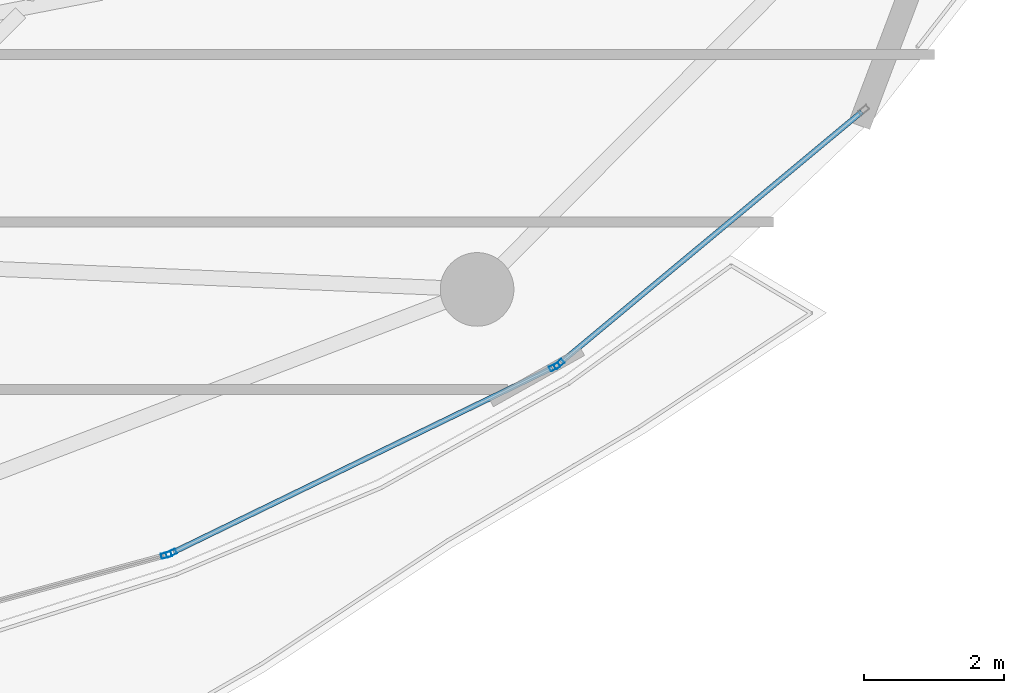
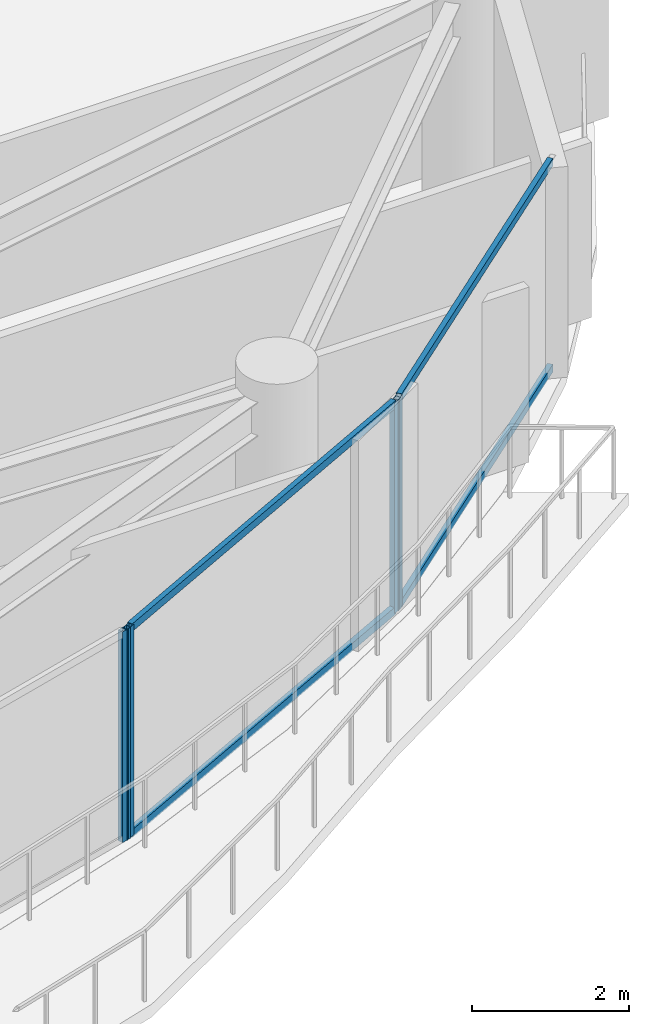
# One storey, part 12 of 29: 8 members, 3 elements without a shape of their own.
"""IFC4 building model written with IfcOpenShell, lengths in metres."""

import ifcopenshell
import ifcopenshell.guid

model = None  # the IFC model being written
_history = None  # IfcOwnerHistory: only IFC2X3 demands one
_inside = {}  # id of a spatial element -> (the spatial element, [elements in it])
_under = {}  # id of a project, library or spatial element -> (it, [spatial elements below it])
_declared = {}  # id of a project -> (the project, [libraries it declares])
_typed = {}  # id of a type object -> (the type object, [elements of that type])
_made_of = {}  # id of a material, layer set ... -> (it, [elements and type objects made of it])


def new_model(schema):
    """Start an empty IFC model of exactly this schema.

    Asked for "IFC4X3", IfcOpenShell would pick the latest addendum, in which some entities
    have other attributes; the version numbers below select the first issue.
    IFC2X3 requires an IfcOwnerHistory on every rooted entity: one is made here for all.
    """
    global model, _history
    if schema == "IFC4X3":
        model = ifcopenshell.file(schema_version=(4, 3, 0, 0))
    else:
        model = ifcopenshell.file(schema=schema)
    _inside.clear()
    _under.clear()
    _declared.clear()
    _typed.clear()
    _made_of.clear()
    _history = None
    if model.schema == "IFC2X3":
        org = make("IfcOrganization", Name="unknown")
        user = make(
            "IfcPersonAndOrganization",
            ThePerson=make("IfcPerson", FamilyName="unknown"),
            TheOrganization=org,
        )
        app = make(
            "IfcApplication",
            ApplicationDeveloper=org,
            Version="unknown",
            ApplicationFullName="unknown",
            ApplicationIdentifier="unknown",
        )
        _history = make(
            "IfcOwnerHistory",
            OwningUser=user,
            OwningApplication=app,
            ChangeAction="ADDED",
            CreationDate=0,
        )
    return model


def make(cls, **values):
    """One entity of the class cls with the attributes given. An attribute that is None is left unset."""
    return model.create_entity(
        cls, **{name: value for name, value in values.items() if value is not None}
    )


def rooted(cls, **values):
    """An entity with a GlobalId (a new one), such as an element, a storey or a relation."""
    return make(cls, GlobalId=ifcopenshell.guid.new(), OwnerHistory=_history, **values)


def si_unit(unit_type, name, prefix=None):
    """IfcSIUnit, for example si_unit("LENGTHUNIT", "METRE", prefix="MILLI")."""
    return make("IfcSIUnit", UnitType=unit_type, Prefix=prefix, Name=name)


def assignment(units):
    """IfcUnitAssignment: the units of a project."""
    return None if units is None else make("IfcUnitAssignment", Units=units)


def point(xyz):
    """IfcCartesianPoint."""
    return None if xyz is None else make("IfcCartesianPoint", Coordinates=xyz)


def direction(xyz):
    """IfcDirection."""
    return None if xyz is None else make("IfcDirection", DirectionRatios=xyz)


def frame(location, z_axis=None, x_axis=None):
    """IfcAxis2Placement3D, a coordinate frame: its origin and axes. An axis left out is left unset."""
    return make(
        "IfcAxis2Placement3D",
        Location=point(location),
        Axis=direction(z_axis),
        RefDirection=direction(x_axis),
    )


def frame_2d(location, x_axis=None):
    """IfcAxis2Placement2D, a coordinate frame in the plane: its origin and x axis."""
    return make(
        "IfcAxis2Placement2D", Location=point(location), RefDirection=direction(x_axis)
    )


def origin():
    """The frame at (0, 0, 0) with its axes left unset."""
    return frame((0.0, 0.0, 0.0))


def origin_2d():
    """The frame at (0, 0) in the plane with its x axis left unset."""
    return frame_2d((0.0, 0.0))


def place(relative_to, where):
    """IfcLocalPlacement: puts the frame where relative to a parent placement (None: the world)."""
    return make(
        "IfcLocalPlacement", PlacementRelTo=relative_to, RelativePlacement=where
    )


def context(
    kind, dimensions, precision=None, world=None, true_north=None, identifier=None
):
    """IfcGeometricRepresentationContext, for example the 3D "Model" context."""
    return make(
        "IfcGeometricRepresentationContext",
        ContextIdentifier=identifier,
        ContextType=kind,
        CoordinateSpaceDimension=dimensions,
        Precision=precision,
        WorldCoordinateSystem=world,
        TrueNorth=true_north,
    )


def subcontext(parent, identifier, kind, view, scale=None):
    """IfcGeometricRepresentationSubContext, for example "Body" below "Model"."""
    return make(
        "IfcGeometricRepresentationSubContext",
        ContextIdentifier=identifier,
        ContextType=kind,
        ParentContext=parent,
        TargetScale=scale,
        TargetView=view,
    )


def project(units=None, contexts=None):
    """IfcProject with its units and contexts."""
    return rooted(
        "IfcProject",
        Name="project",
        RepresentationContexts=contexts,
        UnitsInContext=assignment(units),
    )


def spatial(cls, under=None, at=None, **own):
    """A site, building, storey or space (cls), placed at a placement, below another one or the project."""
    s = rooted(cls, ObjectPlacement=at, **own)
    if under is not None:
        _under.setdefault(under.id(), (under, []))[1].append(s)
    return s


def profile(cls, at=None, kind="AREA", **sizes):
    """A parametric profile (cls). Its sizes go by their IFC names, for example OverallWidth=200.0."""
    return make(cls, ProfileType=kind, Position=at, **sizes)


def hollow_rectangle(**sizes):
    """IfcRectangleHollowProfileDef."""
    return profile("IfcRectangleHollowProfileDef", **sizes)


def extrude(swept, where, along, depth):
    """IfcExtrudedAreaSolid: the profile swept, set in the frame where, extruded along a direction by depth."""
    return make(
        "IfcExtrudedAreaSolid",
        SweptArea=swept,
        Position=where,
        ExtrudedDirection=direction(along),
        Depth=depth,
    )


def shape(context_of_items, identifier, shape_type, items):
    """IfcShapeRepresentation: the items that make up one representation, for example the "Body"."""
    return make(
        "IfcShapeRepresentation",
        ContextOfItems=context_of_items,
        RepresentationIdentifier=identifier,
        RepresentationType=shape_type,
        Items=items,
    )


def material(Name=None, Category=None):
    """IfcMaterial."""
    return make("IfcMaterial", Name=Name, Category=Category)


def layer(
    of_material, thickness, ventilated=None, Name=None, Category=None, Priority=None
):
    """IfcMaterialLayer: one layer of a wall or slab, of a material (None: an air gap)."""
    return make(
        "IfcMaterialLayer",
        Material=of_material,
        LayerThickness=thickness,
        IsVentilated=ventilated,
        Name=Name,
        Category=Category,
        Priority=Priority,
    )


def layer_set(layers, Name=None):
    """IfcMaterialLayerSet."""
    return make("IfcMaterialLayerSet", MaterialLayers=layers, LayerSetName=Name)


def material_profile(
    of_material, cross_section, Name=None, Category=None, Priority=None
):
    """IfcMaterialProfile: a cross section and its material."""
    return make(
        "IfcMaterialProfile",
        Name=Name,
        Material=of_material,
        Profile=cross_section,
        Priority=Priority,
        Category=Category,
    )


def profile_set(profiles, Name=None, composite=None):
    """IfcMaterialProfileSet."""
    return make(
        "IfcMaterialProfileSet",
        Name=Name,
        MaterialProfiles=profiles,
        CompositeProfile=composite,
    )


def made_of(thing, what):
    """Note that an element or type object is made of a material, layer set ...; save() writes the relation."""
    if what is not None:
        _made_of.setdefault(what.id(), (what, []))[1].append(thing)
    return thing


def type_object(cls, material=None, **own):
    """A type object (cls), such as IfcWallType, which elements share."""
    return made_of(rooted(cls, **own), material)


def element(
    cls,
    number,
    at=None,
    inside=None,
    cuts=None,
    type_object=None,
    material=None,
    context=None,
    identifier="Body",
    shape_type=None,
    held_by="IfcProductDefinitionShape",
    body=None,
    shapes=None,
    **own,
):
    """One element of the class cls, such as IfcWall. Its Tag is "e" and its number.

    at: its placement. inside: the storey or other place that contains it. cuts: it is an
    opening in that element (IfcRelVoidsElement). A single representation is given by context,
    identifier, shape_type and body (its items); several are given by shapes. held_by: the class
    of the entity that holds the representations. save() writes the other relations.
    """
    e = rooted(cls, Tag="e%d" % number, ObjectPlacement=at, **own)
    if body is not None:
        shapes = [shape(context, identifier, shape_type, body)]
    if shapes is not None:
        e.Representation = make(held_by, Representations=shapes)
    if inside is not None:
        _inside.setdefault(inside.id(), (inside, []))[1].append(e)
    if cuts is not None:
        rooted(
            "IfcRelVoidsElement", RelatingBuildingElement=cuts, RelatedOpeningElement=e
        )
    if type_object is not None:
        _typed.setdefault(type_object.id(), (type_object, []))[1].append(e)
    return made_of(e, material)


def aggregate(whole, parts):
    """IfcRelAggregates: a whole, such as a stair, and the parts it consists of."""
    return rooted("IfcRelAggregates", RelatingObject=whole, RelatedObjects=parts)


def save(model, path):
    """Write the relations noted so far, then the file.

    IfcRelAggregates (storeys below a building ...), IfcRelContainedInSpatialStructure (elements
    in a storey), IfcRelDefinesByType, IfcRelAssociatesMaterial and IfcRelDeclares: one each for
    every whole, place, type object, material and project.
    """
    for whole, parts in _under.values():
        aggregate(whole, parts)
    for where, things in _inside.values():
        rooted(
            "IfcRelContainedInSpatialStructure",
            RelatedElements=things,
            RelatingStructure=where,
        )
    for kind, things in _typed.values():
        rooted("IfcRelDefinesByType", RelatedObjects=things, RelatingType=kind)
    for what, things in _made_of.values():
        rooted("IfcRelAssociatesMaterial", RelatedObjects=things, RelatingMaterial=what)
    for by, libraries in _declared.values():
        rooted("IfcRelDeclares", RelatingContext=by, RelatedDefinitions=libraries)
    model.write(path)


model = new_model("IFC4")

# Units and contexts
model_context = context("Model", 3, precision=1e-05, world=origin(), true_north=direction((0.0, 1.0)))
body_context = subcontext(model_context, "Body", "Model", "MODEL_VIEW")
ifc_project = project(units=[si_unit("LENGTHUNIT", "METRE"), si_unit("AREAUNIT", "SQUARE_METRE"), si_unit("VOLUMEUNIT", "CUBIC_METRE"), si_unit("PLANEANGLEUNIT", "RADIAN"), si_unit("MASSUNIT", "GRAM", prefix="KILO")], contexts=[model_context])

# Site, building, storey
site_placement = place(None, origin())
site = spatial("IfcSite", under=ifc_project, at=site_placement, CompositionType="ELEMENT")
building_placement = place(site_placement, origin())
building = spatial("IfcBuilding", under=site, at=building_placement, Name="Kazevale Care Tower and Concert Hall", CompositionType="ELEMENT")
storey_placement = place(building_placement, frame((0.0, 0.0, 249.60009765625)))
storey = spatial("IfcBuildingStorey", under=building, at=storey_placement, Name="L66", CompositionType="ELEMENT", Elevation=249.60009765625)

# Curtain wall, member
ifc_material_1 = material(Name="Aluminium 6063-T6 and Low-E Glass", Category="aluminium")
ifc_layer = layer(ifc_material_1, 0.179931640625)
ifc_layer_set = layer_set([ifc_layer], Name="Aluminium 6063-T6 and Low-E Glass")
curtain_wall_type = type_object("IfcCurtainWallType", Name="Sheltered Concave Balcony Curtain Wall CW-5", PredefinedType="NOTDEFINED", material=ifc_layer_set)
curtain_wall_1_placement = place(storey_placement, origin())
curtain_wall_1 = element("IfcCurtainWall", 1, at=curtain_wall_1_placement, inside=storey, type_object=curtain_wall_type, Name="cw:L66:f02", PredefinedType="NOTDEFINED")
ifc_material_2 = material(Name="Aluminium 6063-T6", Category="aluminium")
ifc_material_profile_1 = material_profile(ifc_material_2, hollow_rectangle(XDim=0.074951171875, YDim=0.14990234375, WallThickness=0.00390625, at=origin_2d()), Name="ALU75x150x4")
ifc_profile_set_1 = profile_set([ifc_material_profile_1], Name="Aluminium 6063-T6")
member_type_1 = type_object("IfcMemberType", Name="CW-5 Mullion ALU75x150x4", PredefinedType="MULLION", material=ifc_profile_set_1)
member_1_placement = place(storey_placement, frame((67.417724609375, 21.5869140625, 0.0), z_axis=(0.0, 0.0, 1.0), x_axis=(0.639961217204, -0.768407210062, 0.0)))
member_1 = element("IfcMember", 2, at=member_1_placement, type_object=member_type_1, Name="CW-5 mullion 2", PredefinedType="MULLION", context=body_context, shape_type="SweptSolid", body=[
    extrude(hollow_rectangle(XDim=0.074951171875, YDim=0.14990234375, WallThickness=0.00390625, at=origin_2d()), origin(), (0.0, 0.0, 1.0), 3.27978515625),
])

# Curtain wall, members
curtain_wall_2_placement = place(storey_placement, origin())
curtain_wall_2 = element("IfcCurtainWall", 3, at=curtain_wall_2_placement, inside=storey, type_object=curtain_wall_type, Name="cw:L66:f03", PredefinedType="NOTDEFINED")
member_2_placement = place(storey_placement, frame((67.355224609375, 21.546630859375, 0.0), z_axis=(0.0, 0.0, 1.0), x_axis=(0.437238357087, -0.89934566163, 0.0)))
member_2 = element("IfcMember", 4, at=member_2_placement, type_object=member_type_1, Name="CW-5 mullion 1", PredefinedType="MULLION", context=body_context, shape_type="SweptSolid", body=[
    extrude(hollow_rectangle(XDim=0.074951171875, YDim=0.14990234375, WallThickness=0.00390625, at=origin_2d()), origin(), (0.0, 0.0, 1.0), 3.27978515625),
])
member_3_placement = place(storey_placement, frame((61.8896484375, 18.889404296875, 0.0), z_axis=(0.0, 0.0, 1.0), x_axis=(0.437238357087, -0.89934566163, 0.0)))
member_3 = element("IfcMember", 5, at=member_3_placement, type_object=member_type_1, Name="CW-5 mullion 2", PredefinedType="MULLION", context=body_context, shape_type="SweptSolid", body=[
    extrude(hollow_rectangle(XDim=0.074951171875, YDim=0.14990234375, WallThickness=0.00390625, at=origin_2d()), origin(), (0.0, 0.0, 1.0), 3.27978515625),
])

# Curtain wall, member
curtain_wall_3_placement = place(storey_placement, origin())
curtain_wall_3 = element("IfcCurtainWall", 6, at=curtain_wall_3_placement, inside=storey, type_object=curtain_wall_type, Name="cw:L66:f04", PredefinedType="NOTDEFINED")
member_4_placement = place(storey_placement, frame((61.81982421875, 18.863037109375, 0.0), z_axis=(0.0, 0.0, 1.0), x_axis=(0.262848968947, -0.964836991167, 0.0)))
member_4 = element("IfcMember", 7, at=member_4_placement, type_object=member_type_1, Name="CW-5 mullion 1", PredefinedType="MULLION", context=body_context, shape_type="SweptSolid", body=[
    extrude(hollow_rectangle(XDim=0.074951171875, YDim=0.14990234375, WallThickness=0.00390625, at=origin_2d()), origin(), (0.0, 0.0, 1.0), 3.27978515625),
])
aggregate(curtain_wall_3, [member_4])

# Member
ifc_material_profile_2 = material_profile(ifc_material_2, hollow_rectangle(XDim=0.074951171875, YDim=0.1201171875, WallThickness=0.00390625, at=origin_2d()), Name="ALU75x120x4")
ifc_profile_set_2 = profile_set([ifc_material_profile_2], Name="Aluminium 6063-T6")
member_type_2 = type_object("IfcMemberType", Name="CW-5 Transom ALU75x120x4", PredefinedType="USERDEFINED", material=ifc_profile_set_2)
member_5_placement = place(storey_placement, frame((71.734375, 25.181884765625, 0.037353515625), z_axis=(-0.768432829708, -0.639930454211, 0.0), x_axis=(0.639930454211, -0.768432829708, 0.0)))
member_5 = element("IfcMember", 8, at=member_5_placement, type_object=member_type_2, Name="CW-5 transom 1.1", ObjectType="TRANSOM", PredefinedType="USERDEFINED", context=body_context, shape_type="SweptSolid", body=[
    extrude(hollow_rectangle(XDim=0.074951171875, YDim=0.1201171875, WallThickness=0.00390625, at=origin_2d()), origin(), (0.0, 0.0, 1.0), 5.580078125),
])

member_6_placement = place(storey_placement, frame((71.734375, 25.181884765625, 3.242431640625), z_axis=(-0.768432829708, -0.639930454211, 0.0), x_axis=(0.639930454211, -0.768432829708, 0.0)))
member_6 = element("IfcMember", 9, at=member_6_placement, type_object=member_type_2, Name="CW-5 transom 1.2", ObjectType="TRANSOM", PredefinedType="USERDEFINED", context=body_context, shape_type="SweptSolid", body=[
    extrude(hollow_rectangle(XDim=0.074951171875, YDim=0.1201171875, WallThickness=0.00390625, at=origin_2d()), origin(), (0.0, 0.0, 1.0), 5.580078125),
])

aggregate(curtain_wall_1, [member_1, member_5, member_6])

member_7_placement = place(storey_placement, frame((67.321533203125, 21.5302734375, 0.037353515625), z_axis=(-0.899342308406, -0.437245254189, 0.0), x_axis=(0.437245254189, -0.899342308406, 0.0)))
member_7 = element("IfcMember", 10, at=member_7_placement, type_object=member_type_2, Name="CW-5 transom 1.1", ObjectType="TRANSOM", PredefinedType="USERDEFINED", context=body_context, shape_type="SweptSolid", body=[
    extrude(hollow_rectangle(XDim=0.074951171875, YDim=0.1201171875, WallThickness=0.00390625, at=origin_2d()), origin(), (0.0, 0.0, 1.0), 6.00244140625),
])

member_8_placement = place(storey_placement, frame((67.321533203125, 21.5302734375, 3.242431640625), z_axis=(-0.899342308406, -0.437245254189, 0.0), x_axis=(0.437245254189, -0.899342308406, 0.0)))
member_8 = element("IfcMember", 11, at=member_8_placement, type_object=member_type_2, Name="CW-5 transom 1.2", ObjectType="TRANSOM", PredefinedType="USERDEFINED", context=body_context, shape_type="SweptSolid", body=[
    extrude(hollow_rectangle(XDim=0.074951171875, YDim=0.1201171875, WallThickness=0.00390625, at=origin_2d()), origin(), (0.0, 0.0, 1.0), 6.00244140625),
])

aggregate(curtain_wall_2, [member_2, member_3, member_7, member_8])

save(model, "model.ifc")
